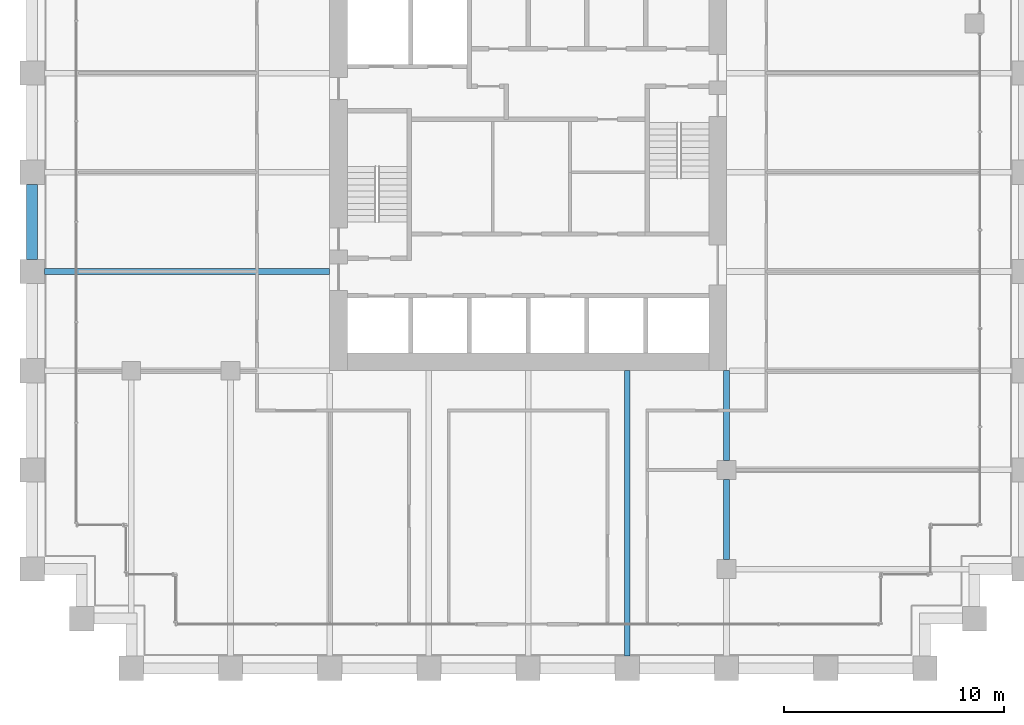
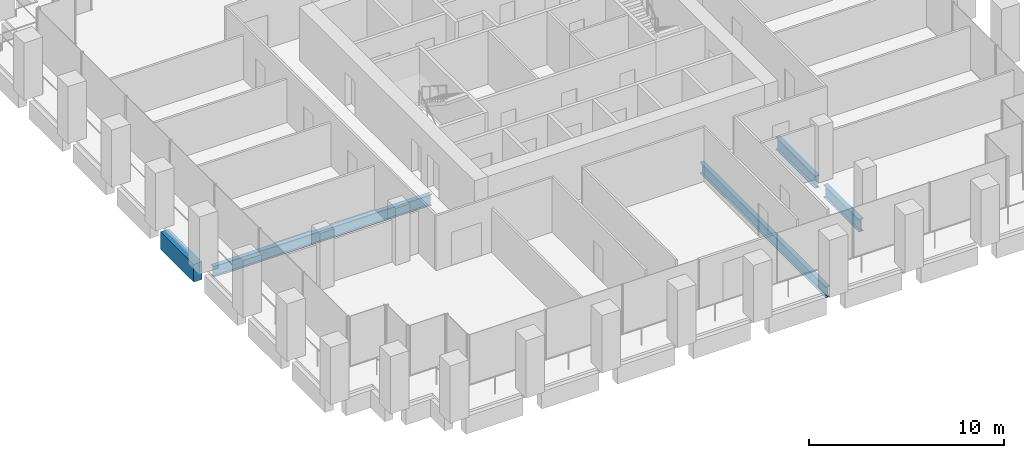
# One storey, part 10 of 56: 5 beams.
"""IFC4 building model written with IfcOpenShell, lengths in metres."""

from ifc_helpers import new_model, si_unit, direction, frame, origin, origin_2d, place, context, subcontext, project, spatial, rectangle, i_section, extrude, material, material_profile, profile_set, type_object, element, save


model = new_model("IFC4")

# Units and contexts
model_context = context("Model", 3, precision=1e-05, world=origin(), true_north=direction((0.0, 1.0)))
body_context = subcontext(model_context, "Body", "Model", "MODEL_VIEW")
ifc_project = project(units=[si_unit("LENGTHUNIT", "METRE"), si_unit("AREAUNIT", "SQUARE_METRE"), si_unit("VOLUMEUNIT", "CUBIC_METRE"), si_unit("PLANEANGLEUNIT", "RADIAN"), si_unit("MASSUNIT", "GRAM", prefix="KILO")], contexts=[model_context])

# Site, building, storey
site_placement = place(None, origin())
site = spatial("IfcSite", under=ifc_project, at=site_placement, CompositionType="ELEMENT")
building_placement = place(site_placement, origin())
building = spatial("IfcBuilding", under=site, at=building_placement, Name="Altepetl Exchange Towers", CompositionType="ELEMENT")
storey_placement = place(building_placement, frame((0.0, 0.0, 76.199951171875)))
storey = spatial("IfcBuildingStorey", under=building, at=storey_placement, Name="L18", CompositionType="ELEMENT", Elevation=76.199951171875)

# Beams
ifc_material_1 = material(Name="Steel S355", Category="steel")
ifc_material_profile_1 = material_profile(ifc_material_1, i_section(OverallWidth=0.25390625, OverallDepth=0.68408203125, WebThickness=0.012451171875, FlangeThickness=0.018798828125, at=origin_2d()), Name="W27X94")
ifc_profile_set_1 = profile_set([ifc_material_profile_1], Name="Steel S355")
beam_type_1 = type_object("IfcBeamType", Name="Floor beam W27X94", PredefinedType="BEAM", material=ifc_profile_set_1)
for number, where, z_axis, x_axis, name in (
    (1, (54.0, 27.550048828125, -0.491943359375), (0.0, 1.0, 0.0), (-1.0, 0.0, 0.0), "bm:A:L18:017"),
    (2, (27.550048828125, 45.0, -0.491943359375), (1.0, 0.0, 0.0), (0.0, 1.0, 0.0), "bm:A:L18:018"),
):
    element("IfcBeam", number, at=place(storey_placement, frame(where, z_axis=z_axis, x_axis=x_axis)), inside=storey, type_object=beam_type_1, Name=name, PredefinedType="BEAM", context=body_context, shape_type="SweptSolid", body=[
        extrude(i_section(OverallWidth=0.25390625, OverallDepth=0.68408203125, WebThickness=0.012451171875, FlangeThickness=0.018798828125, at=origin_2d()), origin(), (0.0, 0.0, 1.0), 12.949951171875),
    ])
ifc_material_profile_2 = material_profile(ifc_material_1, i_section(OverallWidth=0.26806640625, OverallDepth=0.77392578125, WebThickness=0.015380859375, FlangeThickness=0.025390625, at=origin_2d()), Name="W30X132")
ifc_profile_set_2 = profile_set([ifc_material_profile_2], Name="Steel S355")
beam_type_2 = type_object("IfcBeamType", Name="Girder W30X132", PredefinedType="BEAM", material=ifc_profile_set_2)
beam_1_placement = place(storey_placement, frame((58.5, 40.5, -0.536865234375), z_axis=(0.0, -1.0, 0.0), x_axis=(1.0, 0.0, 0.0)))
element("IfcBeam", 3, at=beam_1_placement, inside=storey, type_object=beam_type_2, Name="gd:A:L18:006", PredefinedType="BEAM", context=body_context, shape_type="SweptSolid", body=[
    extrude(i_section(OverallWidth=0.26806640625, OverallDepth=0.77392578125, WebThickness=0.015380859375, FlangeThickness=0.025390625, at=origin_2d()), origin(), (0.0, 0.0, 1.0), 4.074951171875),
])
beam_2_placement = place(storey_placement, frame((58.5, 35.574951171875, -0.536865234375), z_axis=(0.0, -1.0, 0.0), x_axis=(1.0, 0.0, 0.0)))
element("IfcBeam", 4, at=beam_2_placement, inside=storey, type_object=beam_type_2, Name="gd:A:L18:007", PredefinedType="BEAM", context=body_context, shape_type="SweptSolid", body=[
    extrude(i_section(OverallWidth=0.26806640625, OverallDepth=0.77392578125, WebThickness=0.015380859375, FlangeThickness=0.025390625, at=origin_2d()), origin(), (0.0, 0.0, 1.0), 3.64990234375),
])
ifc_material_2 = material(Name="Concrete C50/60 precast with tezontle facing", Category="concrete")
ifc_material_profile_3 = material_profile(ifc_material_2, rectangle(XDim=0.5, YDim=1.10009765625, at=origin_2d()), Name="500 x 1100")
ifc_profile_set_3 = profile_set([ifc_material_profile_3], Name="Concrete C50/60 precast with tezontle facing")
beam_type_3 = type_object("IfcBeamType", Name="Spandrel beam 500x1100 tezontle", PredefinedType="SPANDREL", material=ifc_profile_set_3)
beam_3_placement = place(storey_placement, frame((27.0, 48.949951171875, -0.699951171875), z_axis=(0.0, -1.0, 0.0), x_axis=(1.0, 0.0, 0.0)))
element("IfcBeam", 5, at=beam_3_placement, inside=storey, type_object=beam_type_3, Name="sp:A:L18:040", PredefinedType="SPANDREL", context=body_context, shape_type="SweptSolid", body=[
    extrude(rectangle(XDim=0.5, YDim=1.10009765625, at=origin_2d()), origin(), (0.0, 0.0, 1.0), 3.39990234375),
])

save(model, "model.ifc")
